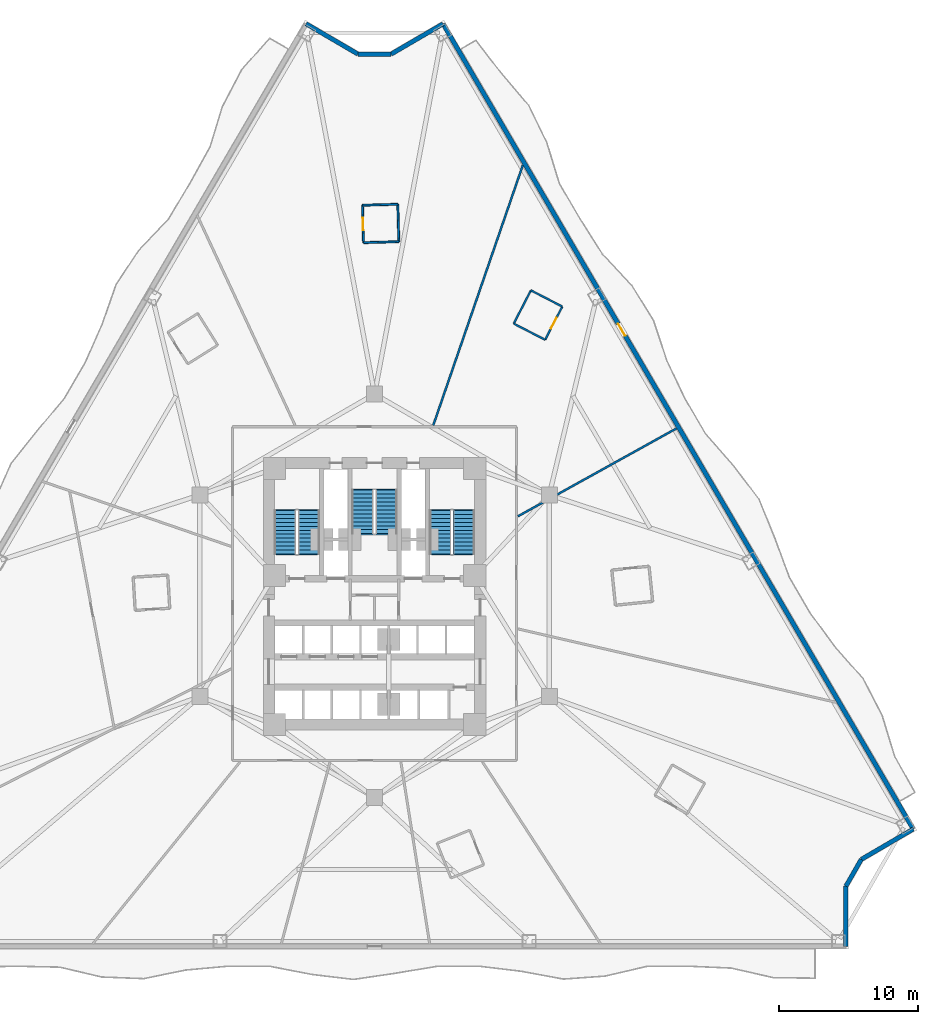
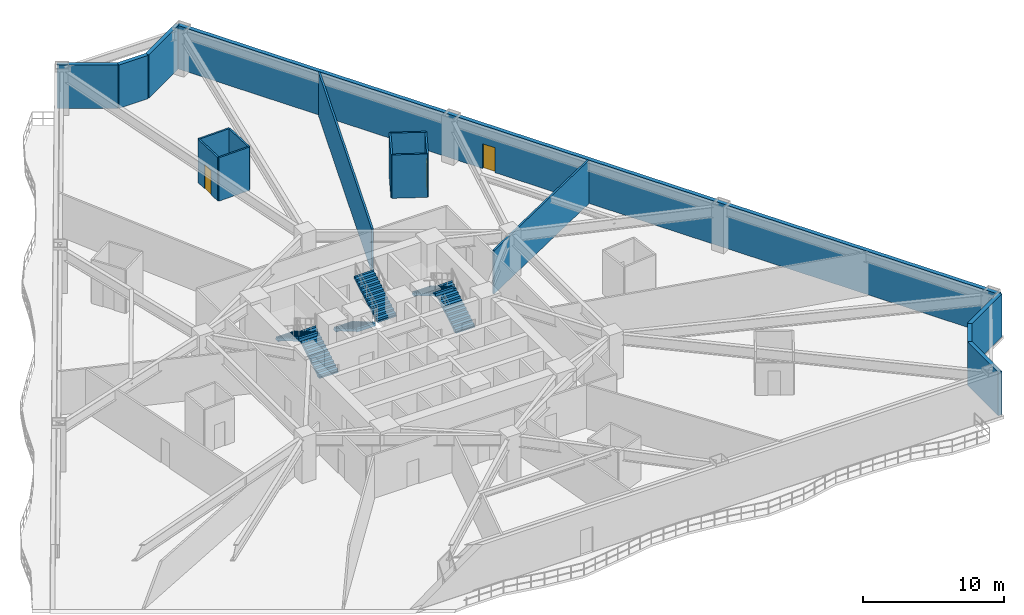
# One storey, part 7 of 12: 17 walls, 6 stair flights, 3 doors, 3 openings, 3 elements without a shape of their own.
"""IFC4 building model written with IfcOpenShell, lengths in metres."""

import ifcopenshell
import ifcopenshell.guid

model = None  # the IFC model being written
_history = None  # IfcOwnerHistory: only IFC2X3 demands one
_inside = {}  # id of a spatial element -> (the spatial element, [elements in it])
_under = {}  # id of a project, library or spatial element -> (it, [spatial elements below it])
_declared = {}  # id of a project -> (the project, [libraries it declares])
_typed = {}  # id of a type object -> (the type object, [elements of that type])
_made_of = {}  # id of a material, layer set ... -> (it, [elements and type objects made of it])


def new_model(schema):
    """Start an empty IFC model of exactly this schema.

    Asked for "IFC4X3", IfcOpenShell would pick the latest addendum, in which some entities
    have other attributes; the version numbers below select the first issue.
    IFC2X3 requires an IfcOwnerHistory on every rooted entity: one is made here for all.
    """
    global model, _history
    if schema == "IFC4X3":
        model = ifcopenshell.file(schema_version=(4, 3, 0, 0))
    else:
        model = ifcopenshell.file(schema=schema)
    _inside.clear()
    _under.clear()
    _declared.clear()
    _typed.clear()
    _made_of.clear()
    _history = None
    if model.schema == "IFC2X3":
        org = make("IfcOrganization", Name="unknown")
        user = make(
            "IfcPersonAndOrganization",
            ThePerson=make("IfcPerson", FamilyName="unknown"),
            TheOrganization=org,
        )
        app = make(
            "IfcApplication",
            ApplicationDeveloper=org,
            Version="unknown",
            ApplicationFullName="unknown",
            ApplicationIdentifier="unknown",
        )
        _history = make(
            "IfcOwnerHistory",
            OwningUser=user,
            OwningApplication=app,
            ChangeAction="ADDED",
            CreationDate=0,
        )
    return model


def make(cls, **values):
    """One entity of the class cls with the attributes given. An attribute that is None is left unset."""
    return model.create_entity(
        cls, **{name: value for name, value in values.items() if value is not None}
    )


def rooted(cls, **values):
    """An entity with a GlobalId (a new one), such as an element, a storey or a relation."""
    return make(cls, GlobalId=ifcopenshell.guid.new(), OwnerHistory=_history, **values)


def si_unit(unit_type, name, prefix=None):
    """IfcSIUnit, for example si_unit("LENGTHUNIT", "METRE", prefix="MILLI")."""
    return make("IfcSIUnit", UnitType=unit_type, Prefix=prefix, Name=name)


def assignment(units):
    """IfcUnitAssignment: the units of a project."""
    return None if units is None else make("IfcUnitAssignment", Units=units)


def point(xyz):
    """IfcCartesianPoint."""
    return None if xyz is None else make("IfcCartesianPoint", Coordinates=xyz)


def direction(xyz):
    """IfcDirection."""
    return None if xyz is None else make("IfcDirection", DirectionRatios=xyz)


def frame(location, z_axis=None, x_axis=None):
    """IfcAxis2Placement3D, a coordinate frame: its origin and axes. An axis left out is left unset."""
    return make(
        "IfcAxis2Placement3D",
        Location=point(location),
        Axis=direction(z_axis),
        RefDirection=direction(x_axis),
    )


def frame_2d(location, x_axis=None):
    """IfcAxis2Placement2D, a coordinate frame in the plane: its origin and x axis."""
    return make(
        "IfcAxis2Placement2D", Location=point(location), RefDirection=direction(x_axis)
    )


def origin():
    """The frame at (0, 0, 0) with its axes left unset."""
    return frame((0.0, 0.0, 0.0))


def place(relative_to, where):
    """IfcLocalPlacement: puts the frame where relative to a parent placement (None: the world)."""
    return make(
        "IfcLocalPlacement", PlacementRelTo=relative_to, RelativePlacement=where
    )


def context(
    kind, dimensions, precision=None, world=None, true_north=None, identifier=None
):
    """IfcGeometricRepresentationContext, for example the 3D "Model" context."""
    return make(
        "IfcGeometricRepresentationContext",
        ContextIdentifier=identifier,
        ContextType=kind,
        CoordinateSpaceDimension=dimensions,
        Precision=precision,
        WorldCoordinateSystem=world,
        TrueNorth=true_north,
    )


def subcontext(parent, identifier, kind, view, scale=None):
    """IfcGeometricRepresentationSubContext, for example "Body" below "Model"."""
    return make(
        "IfcGeometricRepresentationSubContext",
        ContextIdentifier=identifier,
        ContextType=kind,
        ParentContext=parent,
        TargetScale=scale,
        TargetView=view,
    )


def project(units=None, contexts=None):
    """IfcProject with its units and contexts."""
    return rooted(
        "IfcProject",
        Name="project",
        RepresentationContexts=contexts,
        UnitsInContext=assignment(units),
    )


def spatial(cls, under=None, at=None, **own):
    """A site, building, storey or space (cls), placed at a placement, below another one or the project."""
    s = rooted(cls, ObjectPlacement=at, **own)
    if under is not None:
        _under.setdefault(under.id(), (under, []))[1].append(s)
    return s


def polyline(points):
    """IfcPolyline through the points."""
    return make("IfcPolyline", Points=[point(p) for p in points])


def profile(cls, at=None, kind="AREA", **sizes):
    """A parametric profile (cls). Its sizes go by their IFC names, for example OverallWidth=200.0."""
    return make(cls, ProfileType=kind, Position=at, **sizes)


def rectangle(**sizes):
    """IfcRectangleProfileDef."""
    return profile("IfcRectangleProfileDef", **sizes)


def outline(outer, holes=None, kind="AREA"):
    """IfcArbitraryClosedProfileDef: a profile drawn as a closed curve; with holes, ...WithVoids."""
    if holes is None:
        return make("IfcArbitraryClosedProfileDef", ProfileType=kind, OuterCurve=outer)
    return make(
        "IfcArbitraryProfileDefWithVoids",
        ProfileType=kind,
        OuterCurve=outer,
        InnerCurves=holes,
    )


def extrude(swept, where, along, depth):
    """IfcExtrudedAreaSolid: the profile swept, set in the frame where, extruded along a direction by depth."""
    return make(
        "IfcExtrudedAreaSolid",
        SweptArea=swept,
        Position=where,
        ExtrudedDirection=direction(along),
        Depth=depth,
    )


def shape(context_of_items, identifier, shape_type, items):
    """IfcShapeRepresentation: the items that make up one representation, for example the "Body"."""
    return make(
        "IfcShapeRepresentation",
        ContextOfItems=context_of_items,
        RepresentationIdentifier=identifier,
        RepresentationType=shape_type,
        Items=items,
    )


def material(Name=None, Category=None):
    """IfcMaterial."""
    return make("IfcMaterial", Name=Name, Category=Category)


def layer(
    of_material, thickness, ventilated=None, Name=None, Category=None, Priority=None
):
    """IfcMaterialLayer: one layer of a wall or slab, of a material (None: an air gap)."""
    return make(
        "IfcMaterialLayer",
        Material=of_material,
        LayerThickness=thickness,
        IsVentilated=ventilated,
        Name=Name,
        Category=Category,
        Priority=Priority,
    )


def layer_set(layers, Name=None):
    """IfcMaterialLayerSet."""
    return make("IfcMaterialLayerSet", MaterialLayers=layers, LayerSetName=Name)


def made_of(thing, what):
    """Note that an element or type object is made of a material, layer set ...; save() writes the relation."""
    if what is not None:
        _made_of.setdefault(what.id(), (what, []))[1].append(thing)
    return thing


def type_object(cls, material=None, **own):
    """A type object (cls), such as IfcWallType, which elements share."""
    return made_of(rooted(cls, **own), material)


def element(
    cls,
    number,
    at=None,
    inside=None,
    cuts=None,
    type_object=None,
    material=None,
    context=None,
    identifier="Body",
    shape_type=None,
    held_by="IfcProductDefinitionShape",
    body=None,
    shapes=None,
    **own,
):
    """One element of the class cls, such as IfcWall. Its Tag is "e" and its number.

    at: its placement. inside: the storey or other place that contains it. cuts: it is an
    opening in that element (IfcRelVoidsElement). A single representation is given by context,
    identifier, shape_type and body (its items); several are given by shapes. held_by: the class
    of the entity that holds the representations. save() writes the other relations.
    """
    e = rooted(cls, Tag="e%d" % number, ObjectPlacement=at, **own)
    if body is not None:
        shapes = [shape(context, identifier, shape_type, body)]
    if shapes is not None:
        e.Representation = make(held_by, Representations=shapes)
    if inside is not None:
        _inside.setdefault(inside.id(), (inside, []))[1].append(e)
    if cuts is not None:
        rooted(
            "IfcRelVoidsElement", RelatingBuildingElement=cuts, RelatedOpeningElement=e
        )
    if type_object is not None:
        _typed.setdefault(type_object.id(), (type_object, []))[1].append(e)
    return made_of(e, material)


def fill(opening, filler):
    """IfcRelFillsElement: the door or window that sits in an opening."""
    return rooted(
        "IfcRelFillsElement",
        RelatingOpeningElement=opening,
        RelatedBuildingElement=filler,
    )


def aggregate(whole, parts):
    """IfcRelAggregates: a whole, such as a stair, and the parts it consists of."""
    return rooted("IfcRelAggregates", RelatingObject=whole, RelatedObjects=parts)


def save(model, path):
    """Write the relations noted so far, then the file.

    IfcRelAggregates (storeys below a building ...), IfcRelContainedInSpatialStructure (elements
    in a storey), IfcRelDefinesByType, IfcRelAssociatesMaterial and IfcRelDeclares: one each for
    every whole, place, type object, material and project.
    """
    for whole, parts in _under.values():
        aggregate(whole, parts)
    for where, things in _inside.values():
        rooted(
            "IfcRelContainedInSpatialStructure",
            RelatedElements=things,
            RelatingStructure=where,
        )
    for kind, things in _typed.values():
        rooted("IfcRelDefinesByType", RelatedObjects=things, RelatingType=kind)
    for what, things in _made_of.values():
        rooted("IfcRelAssociatesMaterial", RelatedObjects=things, RelatingMaterial=what)
    for by, libraries in _declared.values():
        rooted("IfcRelDeclares", RelatingContext=by, RelatedDefinitions=libraries)
    model.write(path)


model = new_model("IFC4")

# Units and contexts
model_context = context("Model", 3, precision=1e-05, world=origin(), true_north=direction((0.0, 1.0)))
body_context = subcontext(model_context, "Body", "Model", "MODEL_VIEW")
ifc_project = project(units=[si_unit("LENGTHUNIT", "METRE"), si_unit("AREAUNIT", "SQUARE_METRE"), si_unit("VOLUMEUNIT", "CUBIC_METRE"), si_unit("PLANEANGLEUNIT", "RADIAN"), si_unit("MASSUNIT", "GRAM", prefix="KILO")], contexts=[model_context])

# Site, building, storey
site_placement = place(None, origin())
site = spatial("IfcSite", under=ifc_project, at=site_placement, CompositionType="ELEMENT")
building_placement = place(site_placement, origin())
building = spatial("IfcBuilding", under=site, at=building_placement, Name="Apsidion Concourse Tower", CompositionType="ELEMENT")
storey_placement = place(building_placement, frame((0.0, 0.0, 42.39990234375)))
storey = spatial("IfcBuildingStorey", under=building, at=storey_placement, Name="L08", CompositionType="ELEMENT", Elevation=42.39990234375)

# Wall, opening, door
ifc_material_1 = material(Name="Precast concrete C40/50", Category="concrete")
ifc_layer_1 = layer(ifc_material_1, 0.320068359375)
ifc_layer_set_1 = layer_set([ifc_layer_1], Name="Precast concrete C40/50")
wall_type_1 = type_object("IfcWallType", Name="WL-EXT-320", PredefinedType="STANDARD", material=ifc_layer_set_1)
wall_1_placement = place(storey_placement, frame((4.9228515625, 41.121826171875, 0.0), z_axis=(0.0, 0.0, 1.0), x_axis=(0.504213113214, -0.863579258935, 0.0)))
wall_1 = element("IfcWall", 1, at=wall_1_placement, inside=storey, type_object=wall_type_1, Name="L08 Precast Stone Facade Wall 01", PredefinedType="STANDARD", context=body_context, shape_type="SweptSolid", body=[
    extrude(rectangle(XDim=67.041015625, YDim=0.320068359375, at=frame_2d((33.5205078125, 0.0))), origin(), (0.0, 0.0, 1.0), 3.75),
])
opening_1_placement = place(wall_1_placement, frame((24.9755859375, 0.0, 0.0)))
opening_1 = element("IfcOpeningElement", 2, at=opening_1_placement, cuts=wall_1, Name="Opening D-T1L", PredefinedType="OPENING", context=body_context, shape_type="SweptSolid", body=[
    extrude(rectangle(XDim=1.0, YDim=2.14990234375, at=frame_2d((0.5, 1.074951171875))), frame((0.0, 0.169921875, 0.0), z_axis=(0.0, -1.0, 0.0), x_axis=(1.0, 0.0, 0.0)), (0.0, 0.0, 1.0), 0.340087890625),
])
ifc_material_2 = material(Name="Anodised aluminium EN AW-6063 T6", Category="aluminium")
door_type_1 = type_object("IfcDoorType", Name="DR-TER-1022L", OperationType="SINGLE_SWING_LEFT", PredefinedType="DOOR", material=ifc_material_2)
door_1_placement = place(opening_1_placement, origin())
door_1 = element("IfcDoor", 3, at=door_1_placement, inside=storey, type_object=door_type_1, Name="L08 Balcony Access Door 3", OperationType="SINGLE_SWING_LEFT", OverallHeight=2.14990234375, OverallWidth=1.0, PredefinedType="DOOR", context=body_context, shape_type="SweptSolid", body=[
    extrude(rectangle(XDim=1.0, YDim=2.14990234375, at=frame_2d((0.5, 1.074951171875))), frame((0.0, 0.02490234375, 0.0), z_axis=(0.0, -1.0, 0.0), x_axis=(1.0, 0.0, 0.0)), (0.0, 0.0, 1.0), 0.050048828125),
])
fill(opening_1, door_1)

# Walls
wall_2_placement = place(storey_placement, frame((38.725830078125, -16.7734375, 0.0), z_axis=(0.0, 0.0, 1.0), x_axis=(-0.863569936823, -0.504229079105, 0.0)))
element("IfcWall", 4, at=wall_2_placement, inside=storey, type_object=wall_type_1, Name="L08 Precast Stone Facade Wall 02", PredefinedType="STANDARD", context=body_context, shape_type="SweptSolid", body=[
    extrude(rectangle(XDim=4.32373046875, YDim=0.320068359375, at=frame_2d((2.161865234375, 0.0))), origin(), (0.0, 0.0, 1.0), 3.75),
])
wall_3_placement = place(storey_placement, frame((34.991943359375, -18.95361328125, 0.0), z_axis=(0.0, 0.0, 1.0), x_axis=(-0.497881323344, -0.867245171717, 0.0)))
element("IfcWall", 5, at=wall_3_placement, inside=storey, type_object=wall_type_1, Name="L08 Precast Stone Facade Wall 03", PredefinedType="STANDARD", context=body_context, shape_type="SweptSolid", body=[
    extrude(rectangle(XDim=2.216796875, YDim=0.320068359375, at=frame_2d((1.1083984375, 0.0))), origin(), (0.0, 0.0, 1.0), 3.75),
])
wall_4_placement = place(storey_placement, frame((33.88818359375, -20.876220703125, 0.0), z_axis=(0.0, 0.0, 1.0), x_axis=(0.0, -1.0, 0.0)))
element("IfcWall", 6, at=wall_4_placement, inside=storey, type_object=wall_type_1, Name="L08 Precast Stone Facade Wall 04", PredefinedType="STANDARD", context=body_context, shape_type="SweptSolid", body=[
    extrude(rectangle(XDim=4.32373046875, YDim=0.320068359375, at=frame_2d((2.161865234375, 0.0))), origin(), (0.0, 0.0, 1.0), 3.75),
])
wall_5_placement = place(storey_placement, frame((-4.9228515625, 41.121826171875, 0.0), z_axis=(0.0, 0.0, 1.0), x_axis=(0.863588414101, -0.50419743259, 0.0)))
element("IfcWall", 7, at=wall_5_placement, inside=storey, type_object=wall_type_1, Name="L08 Precast Stone Facade Wall 10", PredefinedType="STANDARD", context=body_context, shape_type="SweptSolid", body=[
    extrude(rectangle(XDim=4.324462890625, YDim=0.320068359375, at=frame_2d((2.162109375, 0.0))), origin(), (0.0, 0.0, 1.0), 3.75),
])
wall_6_placement = place(storey_placement, frame((-1.188232421875, 38.94140625, 0.0), z_axis=(0.0, 0.0, 1.0), x_axis=(1.0, 0.0, 0.0)))
element("IfcWall", 8, at=wall_6_placement, inside=storey, type_object=wall_type_1, Name="L08 Precast Stone Facade Wall 11", PredefinedType="STANDARD", context=body_context, shape_type="SweptSolid", body=[
    extrude(rectangle(XDim=2.37646484375, YDim=0.320068359375, at=frame_2d((1.188232421875, 0.0))), origin(), (0.0, 0.0, 1.0), 3.75),
])
wall_7_placement = place(storey_placement, frame((1.188232421875, 38.94140625, 0.0), z_axis=(0.0, 0.0, 1.0), x_axis=(0.863588414101, 0.50419743259, 0.0)))
element("IfcWall", 9, at=wall_7_placement, inside=storey, type_object=wall_type_1, Name="L08 Precast Stone Facade Wall 12", PredefinedType="STANDARD", context=body_context, shape_type="SweptSolid", body=[
    extrude(rectangle(XDim=4.324462890625, YDim=0.320068359375, at=frame_2d((2.162109375, 0.0))), origin(), (0.0, 0.0, 1.0), 3.75),
])

# Wall, opening, door
ifc_material_3 = material(Name="Gypsum plasterboard partition")
ifc_layer_2 = layer(ifc_material_3, 0.139892578125)
ifc_layer_set_2 = layer_set([ifc_layer_2], Name="Gypsum plasterboard partition")
wall_type_2 = type_object("IfcWallType", Name="WL-INT-PAR-140", PredefinedType="PARTITIONING", material=ifc_layer_set_2)
wall_8_placement = place(storey_placement, frame((12.263427734375, 18.403076171875, 0.0), z_axis=(0.0, 0.0, 1.0), x_axis=(0.45868453164, 0.888599178727, 0.0)))
wall_8 = element("IfcWall", 10, at=wall_8_placement, inside=storey, type_object=wall_type_2, Name="L08 Interior Partition WL-L08-POD-ENS07-S1", PredefinedType="PARTITIONING", context=body_context, shape_type="SweptSolid", body=[
    extrude(rectangle(XDim=2.68994140625, YDim=0.139892578125, at=frame_2d((1.344970703125, 0.0))), origin(), (0.0, 0.0, 1.0), 3.75),
])
opening_2_placement = place(wall_8_placement, frame((0.905029296875, 0.0, 0.0)))
opening_2 = element("IfcOpeningElement", 11, at=opening_2_placement, cuts=wall_8, Name="Opening D-03R", PredefinedType="OPENING", context=body_context, shape_type="SweptSolid", body=[
    extrude(rectangle(XDim=0.8798828125, YDim=2.10009765625, at=frame_2d((0.43994140625, 1.050048828125))), frame((0.0, 0.080078125, 0.0), z_axis=(0.0, -1.0, 0.0), x_axis=(1.0, 0.0, 0.0)), (0.0, 0.0, 1.0), 0.159912109375),
])
door_type_2 = type_object("IfcDoorType", Name="DR-INT-D03R", OperationType="SINGLE_SWING_RIGHT", PredefinedType="DOOR", material=ifc_material_2)
door_2_placement = place(opening_2_placement, origin())
door_2 = element("IfcDoor", 12, at=door_2_placement, inside=storey, type_object=door_type_2, Name="L08 Guest En-Suite Bathroom Door ENS07", OperationType="SINGLE_SWING_RIGHT", OverallHeight=2.10009765625, OverallWidth=0.8798828125, PredefinedType="DOOR", context=body_context, shape_type="SweptSolid", body=[
    extrude(rectangle(XDim=0.8798828125, YDim=2.10009765625, at=frame_2d((0.43994140625, 1.050048828125))), frame((0.0, 0.02490234375, 0.0), z_axis=(0.0, -1.0, 0.0), x_axis=(1.0, 0.0, 0.0)), (0.0, 0.0, 1.0), 0.050048828125),
])
fill(opening_2, door_2)

# Walls
wall_9_placement = place(storey_placement, frame((13.497314453125, 20.79345703125, 0.0), z_axis=(0.0, 0.0, 1.0), x_axis=(-0.888625711224, 0.458633127186, 0.0)))
element("IfcWall", 13, at=wall_9_placement, inside=storey, type_object=wall_type_2, Name="L08 Interior Partition WL-L08-POD-ENS07-S2", PredefinedType="PARTITIONING", context=body_context, shape_type="SweptSolid", body=[
    extrude(rectangle(XDim=2.540283203125, YDim=0.139892578125, at=frame_2d((1.27001953125, 0.0))), origin(), (0.0, 0.0, 1.0), 3.75),
])
wall_10_placement = place(storey_placement, frame((11.239990234375, 21.95849609375, 0.0), z_axis=(0.0, 0.0, 1.0), x_axis=(-0.458612864877, -0.888636168614, 0.0)))
element("IfcWall", 14, at=wall_10_placement, inside=storey, type_object=wall_type_2, Name="L08 Interior Partition WL-L08-POD-ENS07-S3", PredefinedType="PARTITIONING", context=body_context, shape_type="SweptSolid", body=[
    extrude(rectangle(XDim=2.68994140625, YDim=0.139892578125, at=frame_2d((1.344970703125, 0.0))), origin(), (0.0, 0.0, 1.0), 3.75),
])
wall_11_placement = place(storey_placement, frame((10.00634765625, 19.568115234375, 0.0), z_axis=(0.0, 0.0, 1.0), x_axis=(0.888605492606, -0.458672299699, 0.0)))
element("IfcWall", 15, at=wall_11_placement, inside=storey, type_object=wall_type_2, Name="L08 Interior Partition WL-L08-POD-ENS07-S4", PredefinedType="PARTITIONING", context=body_context, shape_type="SweptSolid", body=[
    extrude(rectangle(XDim=2.5400390625, YDim=0.139892578125, at=frame_2d((1.27001953125, 0.0))), origin(), (0.0, 0.0, 1.0), 3.75),
])
wall_12_placement = place(storey_placement, frame((1.74560546875, 25.458740234375, 0.0), z_axis=(0.0, 0.0, 1.0), x_axis=(-0.027953481145, 0.999609225093, 0.0)))
element("IfcWall", 16, at=wall_12_placement, inside=storey, type_object=wall_type_2, Name="L08 Interior Partition WL-L08-POD-ENS08-S1", PredefinedType="PARTITIONING", context=body_context, shape_type="SweptSolid", body=[
    extrude(rectangle(XDim=2.68994140625, YDim=0.139892578125, at=frame_2d((1.344970703125, 0.0))), origin(), (0.0, 0.0, 1.0), 3.75),
])
wall_13_placement = place(storey_placement, frame((1.67041015625, 28.147705078125, 0.0), z_axis=(0.0, 0.0, 1.0), x_axis=(-0.999611450686, -0.027873780836, 0.0)))
element("IfcWall", 17, at=wall_13_placement, inside=storey, type_object=wall_type_2, Name="L08 Interior Partition WL-L08-POD-ENS08-S2", PredefinedType="PARTITIONING", context=body_context, shape_type="SweptSolid", body=[
    extrude(rectangle(XDim=2.5400390625, YDim=0.139892578125, at=frame_2d((1.27001953125, 0.0))), origin(), (0.0, 0.0, 1.0), 3.75),
])

# Wall, opening, door
wall_14_placement = place(storey_placement, frame((-0.86865234375, 28.076904296875, 0.0), z_axis=(0.0, 0.0, 1.0), x_axis=(0.027950945363, -0.999609296002, 0.0)))
wall_14 = element("IfcWall", 18, at=wall_14_placement, inside=storey, type_object=wall_type_2, Name="L08 Interior Partition WL-L08-POD-ENS08-S3", PredefinedType="PARTITIONING", context=body_context, shape_type="SweptSolid", body=[
    extrude(rectangle(XDim=2.690185546875, YDim=0.139892578125, at=frame_2d((1.34521484375, 0.0))), origin(), (0.0, 0.0, 1.0), 3.75),
])
opening_3_placement = place(wall_14_placement, frame((0.905029296875, 0.0, 0.0)))
opening_3 = element("IfcOpeningElement", 19, at=opening_3_placement, cuts=wall_14, Name="Opening D-03L", PredefinedType="OPENING", context=body_context, shape_type="SweptSolid", body=[
    extrude(rectangle(XDim=0.8798828125, YDim=2.10009765625, at=frame_2d((0.43994140625, 1.050048828125))), frame((0.0, 0.080078125, 0.0), z_axis=(0.0, -1.0, 0.0), x_axis=(1.0, 0.0, 0.0)), (0.0, 0.0, 1.0), 0.159912109375),
])
door_type_3 = type_object("IfcDoorType", Name="DR-INT-D03L", OperationType="SINGLE_SWING_LEFT", PredefinedType="DOOR", material=ifc_material_2)
door_3_placement = place(opening_3_placement, origin())
door_3 = element("IfcDoor", 20, at=door_3_placement, inside=storey, type_object=door_type_3, Name="L08 Guest En-Suite Bathroom Door ENS08", OperationType="SINGLE_SWING_LEFT", OverallHeight=2.10009765625, OverallWidth=0.8798828125, PredefinedType="DOOR", context=body_context, shape_type="SweptSolid", body=[
    extrude(rectangle(XDim=0.8798828125, YDim=2.10009765625, at=frame_2d((0.43994140625, 1.050048828125))), frame((0.0, 0.02490234375, 0.0), z_axis=(0.0, -1.0, 0.0), x_axis=(1.0, 0.0, 0.0)), (0.0, 0.0, 1.0), 0.050048828125),
])
fill(opening_3, door_3)

# Walls
wall_15_placement = place(storey_placement, frame((-0.79345703125, 25.3876953125, 0.0), z_axis=(0.0, 0.0, 1.0), x_axis=(0.99960876799, 0.027969822258, 0.0)))
element("IfcWall", 21, at=wall_15_placement, inside=storey, type_object=wall_type_2, Name="L08 Interior Partition WL-L08-POD-ENS08-S4", PredefinedType="PARTITIONING", context=body_context, shape_type="SweptSolid", body=[
    extrude(rectangle(XDim=2.5400390625, YDim=0.139892578125, at=frame_2d((1.27001953125, 0.0))), origin(), (0.0, 0.0, 1.0), 3.75),
])
ifc_layer_3 = layer(ifc_material_3, 0.14990234375)
ifc_layer_set_3 = layer_set([ifc_layer_3], Name="Gypsum plasterboard partition")
wall_type_3 = type_object("IfcWallType", Name="WL-INT-PAR-150", PredefinedType="PARTITIONING", material=ifc_layer_set_3)
wall_16_placement = place(storey_placement, frame((10.304931640625, 5.712158203125, 0.0), z_axis=(0.0, 0.0, 1.0), x_axis=(0.874623369723, 0.484803012711, 0.0)))
element("IfcWall", 22, at=wall_16_placement, inside=storey, type_object=wall_type_3, Name="L08 Interior Partition WL-L08-RAD-01-1", PredefinedType="PARTITIONING", context=body_context, shape_type="SweptSolid", body=[
    extrude(rectangle(XDim=13.034423828125, YDim=0.14990234375, at=frame_2d((6.51708984375, 0.0))), origin(), (0.0, 0.0, 1.0), 3.75),
])
wall_17_placement = place(storey_placement, frame((4.2197265625, 12.2548828125, 0.0), z_axis=(0.0, 0.0, 1.0), x_axis=(0.325564509199, 0.945519830755, 0.0)))
element("IfcWall", 23, at=wall_17_placement, inside=storey, type_object=wall_type_3, Name="L08 Interior Partition WL-L08-RAD-02-1", PredefinedType="PARTITIONING", context=body_context, shape_type="SweptSolid", body=[
    extrude(rectangle(XDim=19.77490234375, YDim=0.14990234375, at=frame_2d((9.887451171875, 0.0))), origin(), (0.0, 0.0, 1.0), 3.75),
])

# Stair, stair flights
stair_type = type_object("IfcStairType", Name="ST-DL-1550", PredefinedType="HALF_TURN_STAIR", material=ifc_material_1)
stair_1_placement = place(storey_placement, origin())
stair_1 = element("IfcStair", 24, at=stair_1_placement, inside=storey, type_object=stair_type, Name="L08 Protected Core Exit Stair ST1", PredefinedType="HALF_TURN_STAIR")
stair_flight_type = type_object("IfcStairFlightType", Name="SFL-RC-1550", PredefinedType="STRAIGHT", material=ifc_material_1)
stair_flight_1_placement = place(storey_placement, frame((-4.72509765625, 3.0, 0.0), z_axis=(0.0, 0.0, 1.0), x_axis=(0.0, 1.0, 0.0)))
stair_flight_1 = element("IfcStairFlight", 25, at=stair_flight_1_placement, type_object=stair_flight_type, Name="ST1 flight 1", NumberOfRisers=12, NumberOfTreads=11, PredefinedType="STRAIGHT", RiserHeight=0.166666667, TreadLength=0.285, context=body_context, shape_type="SweptSolid", body=[
    extrude(outline(polyline([(-0.080078125, -0.1123046875), (-0.080078125, 0.0), (0.0, 0.0), (0.0, 0.166748046875), (0.284912109375, 0.166748046875), (0.284912109375, 0.333251953125), (0.570068359375, 0.333251953125), (0.570068359375, 0.5), (0.85498046875, 0.5), (0.85498046875, 0.666748046875), (1.139892578125, 0.666748046875), (1.139892578125, 0.833251953125), (1.425048828125, 0.833251953125), (1.425048828125, 1.0), (1.7099609375, 1.0), (1.7099609375, 1.166748046875), (1.9951171875, 1.166748046875), (1.9951171875, 1.333251953125), (2.280029296875, 1.333251953125), (2.280029296875, 1.5), (2.56494140625, 1.5), (2.56494140625, 1.666748046875), (2.85009765625, 1.666748046875), (2.85009765625, 1.833251953125), (3.135009765625, 1.833251953125), (3.135009765625, 2.0), (3.215087890625, 1.916748046875), (3.215087890625, 1.65966796875), (3.135009765625, 1.65966796875), (0.296875, 0.0), (0.296875, -0.1123046875), (-0.080078125, -0.1123046875)])), frame((0.0, 0.77490234375, 0.0), z_axis=(0.0, -1.0, 0.0), x_axis=(1.0, 0.0, 0.0)), (0.0, 0.0, 1.0), 1.550048828125),
])
stair_flight_2_placement = place(storey_placement, frame((-6.425048828125, 6.135009765625, 2.0), z_axis=(0.0, 0.0, 1.0), x_axis=(0.0, -1.0, 0.0)))
stair_flight_2 = element("IfcStairFlight", 26, at=stair_flight_2_placement, type_object=stair_flight_type, Name="ST1 flight 2", NumberOfRisers=12, NumberOfTreads=11, PredefinedType="STRAIGHT", RiserHeight=0.166666667, TreadLength=0.285, context=body_context, shape_type="SweptSolid", body=[
    extrude(outline(polyline([(-0.080078125, -0.1123046875), (-0.080078125, 0.0), (0.0, 0.0), (0.0, 0.166748046875), (0.284912109375, 0.166748046875), (0.284912109375, 0.333251953125), (0.570068359375, 0.333251953125), (0.570068359375, 0.5), (0.85498046875, 0.5), (0.85498046875, 0.666748046875), (1.139892578125, 0.666748046875), (1.139892578125, 0.833251953125), (1.425048828125, 0.833251953125), (1.425048828125, 1.0), (1.7099609375, 1.0), (1.7099609375, 1.166748046875), (1.9951171875, 1.166748046875), (1.9951171875, 1.333251953125), (2.280029296875, 1.333251953125), (2.280029296875, 1.5), (2.56494140625, 1.5), (2.56494140625, 1.666748046875), (2.85009765625, 1.666748046875), (2.85009765625, 1.833251953125), (3.135009765625, 1.833251953125), (3.135009765625, 2.0), (3.215087890625, 1.916748046875), (3.215087890625, 1.65966796875), (3.135009765625, 1.65966796875), (0.296875, 0.0), (0.296875, -0.1123046875), (-0.080078125, -0.1123046875)])), frame((0.0, 0.77490234375, 0.0), z_axis=(0.0, -1.0, 0.0), x_axis=(1.0, 0.0, 0.0)), (0.0, 0.0, 1.0), 1.550048828125),
])
aggregate(stair_1, [stair_flight_1, stair_flight_2])

stair_2_placement = place(storey_placement, origin())
stair_2 = element("IfcStair", 27, at=stair_2_placement, inside=storey, type_object=stair_type, Name="L08 Protected Core Exit Stair ST2", PredefinedType="HALF_TURN_STAIR")
stair_flight_3_placement = place(storey_placement, frame((6.425048828125, 3.0, 0.0), z_axis=(0.0, 0.0, 1.0), x_axis=(0.0, 1.0, 0.0)))
stair_flight_3 = element("IfcStairFlight", 28, at=stair_flight_3_placement, type_object=stair_flight_type, Name="ST2 flight 1", NumberOfRisers=12, NumberOfTreads=11, PredefinedType="STRAIGHT", RiserHeight=0.166666667, TreadLength=0.285, context=body_context, shape_type="SweptSolid", body=[
    extrude(outline(polyline([(-0.080078125, -0.1123046875), (-0.080078125, 0.0), (0.0, 0.0), (0.0, 0.166748046875), (0.284912109375, 0.166748046875), (0.284912109375, 0.333251953125), (0.570068359375, 0.333251953125), (0.570068359375, 0.5), (0.85498046875, 0.5), (0.85498046875, 0.666748046875), (1.139892578125, 0.666748046875), (1.139892578125, 0.833251953125), (1.425048828125, 0.833251953125), (1.425048828125, 1.0), (1.7099609375, 1.0), (1.7099609375, 1.166748046875), (1.9951171875, 1.166748046875), (1.9951171875, 1.333251953125), (2.280029296875, 1.333251953125), (2.280029296875, 1.5), (2.56494140625, 1.5), (2.56494140625, 1.666748046875), (2.85009765625, 1.666748046875), (2.85009765625, 1.833251953125), (3.135009765625, 1.833251953125), (3.135009765625, 2.0), (3.215087890625, 1.916748046875), (3.215087890625, 1.65966796875), (3.135009765625, 1.65966796875), (0.296875, 0.0), (0.296875, -0.1123046875), (-0.080078125, -0.1123046875)])), frame((0.0, 0.77490234375, 0.0), z_axis=(0.0, -1.0, 0.0), x_axis=(1.0, 0.0, 0.0)), (0.0, 0.0, 1.0), 1.550048828125),
])
stair_flight_4_placement = place(storey_placement, frame((4.72509765625, 6.135009765625, 2.0), z_axis=(0.0, 0.0, 1.0), x_axis=(0.0, -1.0, 0.0)))
stair_flight_4 = element("IfcStairFlight", 29, at=stair_flight_4_placement, type_object=stair_flight_type, Name="ST2 flight 2", NumberOfRisers=12, NumberOfTreads=11, PredefinedType="STRAIGHT", RiserHeight=0.166666667, TreadLength=0.285, context=body_context, shape_type="SweptSolid", body=[
    extrude(outline(polyline([(-0.080078125, -0.1123046875), (-0.080078125, 0.0), (0.0, 0.0), (0.0, 0.166748046875), (0.284912109375, 0.166748046875), (0.284912109375, 0.333251953125), (0.570068359375, 0.333251953125), (0.570068359375, 0.5), (0.85498046875, 0.5), (0.85498046875, 0.666748046875), (1.139892578125, 0.666748046875), (1.139892578125, 0.833251953125), (1.425048828125, 0.833251953125), (1.425048828125, 1.0), (1.7099609375, 1.0), (1.7099609375, 1.166748046875), (1.9951171875, 1.166748046875), (1.9951171875, 1.333251953125), (2.280029296875, 1.333251953125), (2.280029296875, 1.5), (2.56494140625, 1.5), (2.56494140625, 1.666748046875), (2.85009765625, 1.666748046875), (2.85009765625, 1.833251953125), (3.135009765625, 1.833251953125), (3.135009765625, 2.0), (3.215087890625, 1.916748046875), (3.215087890625, 1.65966796875), (3.135009765625, 1.65966796875), (0.296875, 0.0), (0.296875, -0.1123046875), (-0.080078125, -0.1123046875)])), frame((0.0, 0.77490234375, 0.0), z_axis=(0.0, -1.0, 0.0), x_axis=(1.0, 0.0, 0.0)), (0.0, 0.0, 1.0), 1.550048828125),
])
aggregate(stair_2, [stair_flight_3, stair_flight_4])

stair_3_placement = place(storey_placement, origin())
stair_3 = element("IfcStair", 30, at=stair_3_placement, inside=storey, type_object=stair_type, Name="L08 Protected Core Exit Stair ST3", PredefinedType="HALF_TURN_STAIR")
stair_flight_5_placement = place(storey_placement, frame((-0.85009765625, 7.60009765625, 0.0), z_axis=(0.0, 0.0, 1.0), x_axis=(0.0, -1.0, 0.0)))
stair_flight_5 = element("IfcStairFlight", 31, at=stair_flight_5_placement, type_object=stair_flight_type, Name="ST3 flight 1", NumberOfRisers=12, NumberOfTreads=11, PredefinedType="STRAIGHT", RiserHeight=0.166666667, TreadLength=0.285, context=body_context, shape_type="SweptSolid", body=[
    extrude(outline(polyline([(-0.080078125, -0.1123046875), (-0.080078125, 0.0), (0.0, 0.0), (0.0, 0.166748046875), (0.284912109375, 0.166748046875), (0.284912109375, 0.333251953125), (0.570068359375, 0.333251953125), (0.570068359375, 0.5), (0.85498046875, 0.5), (0.85498046875, 0.666748046875), (1.139892578125, 0.666748046875), (1.139892578125, 0.833251953125), (1.425048828125, 0.833251953125), (1.425048828125, 1.0), (1.7099609375, 1.0), (1.7099609375, 1.166748046875), (1.9951171875, 1.166748046875), (1.9951171875, 1.333251953125), (2.280029296875, 1.333251953125), (2.280029296875, 1.5), (2.56494140625, 1.5), (2.56494140625, 1.666748046875), (2.85009765625, 1.666748046875), (2.85009765625, 1.833251953125), (3.135009765625, 1.833251953125), (3.135009765625, 2.0), (3.215087890625, 1.916748046875), (3.215087890625, 1.65966796875), (3.135009765625, 1.65966796875), (0.296875, 0.0), (0.296875, -0.1123046875), (-0.080078125, -0.1123046875)])), frame((0.0, 0.77490234375, 0.0), z_axis=(0.0, -1.0, 0.0), x_axis=(1.0, 0.0, 0.0)), (0.0, 0.0, 1.0), 1.550048828125),
])
stair_flight_6_placement = place(storey_placement, frame((0.85009765625, 4.465087890625, 2.0), z_axis=(0.0, 0.0, 1.0), x_axis=(0.0, 1.0, 0.0)))
stair_flight_6 = element("IfcStairFlight", 32, at=stair_flight_6_placement, type_object=stair_flight_type, Name="ST3 flight 2", NumberOfRisers=12, NumberOfTreads=11, PredefinedType="STRAIGHT", RiserHeight=0.166666667, TreadLength=0.285, context=body_context, shape_type="SweptSolid", body=[
    extrude(outline(polyline([(-0.080078125, -0.1123046875), (-0.080078125, 0.0), (0.0, 0.0), (0.0, 0.166748046875), (0.284912109375, 0.166748046875), (0.284912109375, 0.333251953125), (0.570068359375, 0.333251953125), (0.570068359375, 0.5), (0.85498046875, 0.5), (0.85498046875, 0.666748046875), (1.139892578125, 0.666748046875), (1.139892578125, 0.833251953125), (1.425048828125, 0.833251953125), (1.425048828125, 1.0), (1.7099609375, 1.0), (1.7099609375, 1.166748046875), (1.9951171875, 1.166748046875), (1.9951171875, 1.333251953125), (2.280029296875, 1.333251953125), (2.280029296875, 1.5), (2.56494140625, 1.5), (2.56494140625, 1.666748046875), (2.85009765625, 1.666748046875), (2.85009765625, 1.833251953125), (3.135009765625, 1.833251953125), (3.135009765625, 2.0), (3.215087890625, 1.916748046875), (3.215087890625, 1.65966796875), (3.135009765625, 1.65966796875), (0.296875, 0.0), (0.296875, -0.1123046875), (-0.080078125, -0.1123046875)])), frame((0.0, 0.77490234375, 0.0), z_axis=(0.0, -1.0, 0.0), x_axis=(1.0, 0.0, 0.0)), (0.0, 0.0, 1.0), 1.550048828125),
])
aggregate(stair_3, [stair_flight_5, stair_flight_6])

save(model, "model.ifc")
